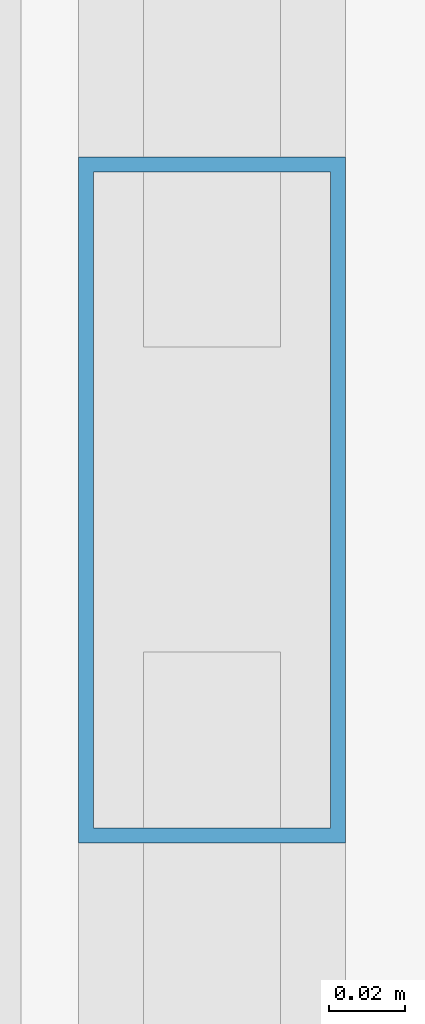
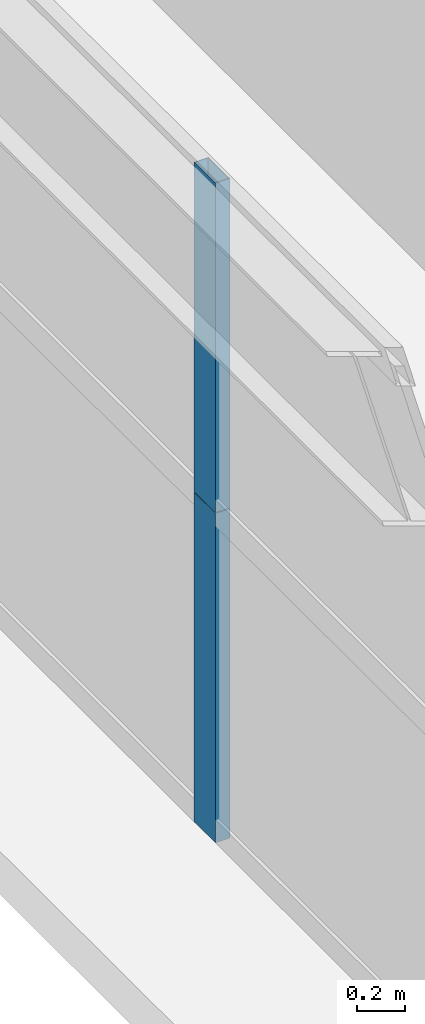
# One storey, part 24 of 46: 2 members, 1 element without a shape of its own.
"""IFC4 building model written with IfcOpenShell, lengths in metres."""

from ifc_helpers import new_model, si_unit, direction, frame, origin, origin_2d, place, context, subcontext, project, spatial, hollow_rectangle, extrude, source, transform, mapped, material, layer, layer_set, material_profile, profile_set, type_object, element, aggregate, save


model = new_model("IFC4")

# Units and contexts
model_context = context("Model", 3, precision=1e-05, world=origin(), true_north=direction((0.0, 1.0)))
body_context = subcontext(model_context, "Body", "Model", "MODEL_VIEW")
ifc_project = project(units=[si_unit("LENGTHUNIT", "METRE"), si_unit("AREAUNIT", "SQUARE_METRE"), si_unit("VOLUMEUNIT", "CUBIC_METRE"), si_unit("PLANEANGLEUNIT", "RADIAN"), si_unit("MASSUNIT", "GRAM", prefix="KILO"), si_unit("THERMODYNAMICTEMPERATUREUNIT", "KELVIN"), si_unit("POWERUNIT", "WATT")], contexts=[model_context])

# Site, building, storey
site_placement = place(None, origin())
site = spatial("IfcSite", under=ifc_project, at=site_placement, CompositionType="ELEMENT")
building_placement = place(site_placement, origin())
building = spatial("IfcBuilding", under=site, at=building_placement, Name="Yuzanri Waterfront Tower", CompositionType="ELEMENT")
storey_placement = place(building_placement, frame((0.0, 0.0, 56.800048828125)))
storey = spatial("IfcBuildingStorey", under=building, at=storey_placement, Name="L14", CompositionType="ELEMENT", Elevation=56.800048828125)

# Curtain wall, members
ifc_material_1 = material(Name="Anodized Architectural Bronze", Category="metal")
ifc_layer = layer(ifc_material_1, 0.159912109375)
ifc_layer_set = layer_set([ifc_layer], Name="Anodized Architectural Bronze")
curtain_wall_type = type_object("IfcCurtainWallType", Name="Anodized Bronze Hotel Lower-Tier Recessed Unitized Curtain Wall 8100", PredefinedType="NOTDEFINED", material=ifc_layer_set)
curtain_wall_placement = place(storey_placement, origin())
curtain_wall = element("IfcCurtainWall", 1, at=curtain_wall_placement, inside=storey, type_object=curtain_wall_type, Name="L14 Curtain Wall CW-L14-WR", PredefinedType="NOTDEFINED")
ifc_material_2 = material(Name="Anodized Architectural Bronze", Category="metal")
ifc_material_profile = material_profile(ifc_material_2, hollow_rectangle(XDim=0.070068359375, YDim=0.179931640625, WallThickness=0.00390625, at=origin_2d()), Name="CWM 70x180")
ifc_profile_set = profile_set([ifc_material_profile], Name="Anodized Architectural Bronze")
member_type = type_object("IfcMemberType", Name="Anodized Bronze Standard Curtain-Wall Mullion 70x180", PredefinedType="MULLION", material=ifc_profile_set)
shared_shape = source(origin(), body_context, "Body", "SweptSolid", [
    extrude(hollow_rectangle(XDim=0.070068359375, YDim=0.179931640625, WallThickness=0.00390625, at=origin_2d()), origin(), (0.0, 0.0, 1.0), 1.68798828125),
])
member_1_placement = place(storey_placement, frame((12.050048828125, 34.89990234375, 0.0), z_axis=(0.0, 0.0, 1.0), x_axis=(1.0, 0.0, 0.0)))
member_1 = element("IfcMember", 2, at=member_1_placement, type_object=member_type, Name="CW-L14-WR Lower Mullion 01", PredefinedType="MULLION", context=body_context, shape_type="MappedRepresentation", body=[
    mapped(shared_shape, transform((0.0, 0.0, 0.0), scale=1.0)),
])
member_2_placement = place(storey_placement, frame((12.050048828125, 34.89990234375, 1.69189453125), z_axis=(0.0, 0.0, 1.0), x_axis=(1.0, 0.0, 0.0)))
member_2 = element("IfcMember", 3, at=member_2_placement, type_object=member_type, Name="CW-L14-WR Upper Mullion 01", PredefinedType="MULLION", context=body_context, shape_type="MappedRepresentation", body=[
    mapped(shared_shape, transform((0.0, 0.0, 0.0), scale=1.0)),
])
aggregate(curtain_wall, [member_1, member_2])

save(model, "model.ifc")
